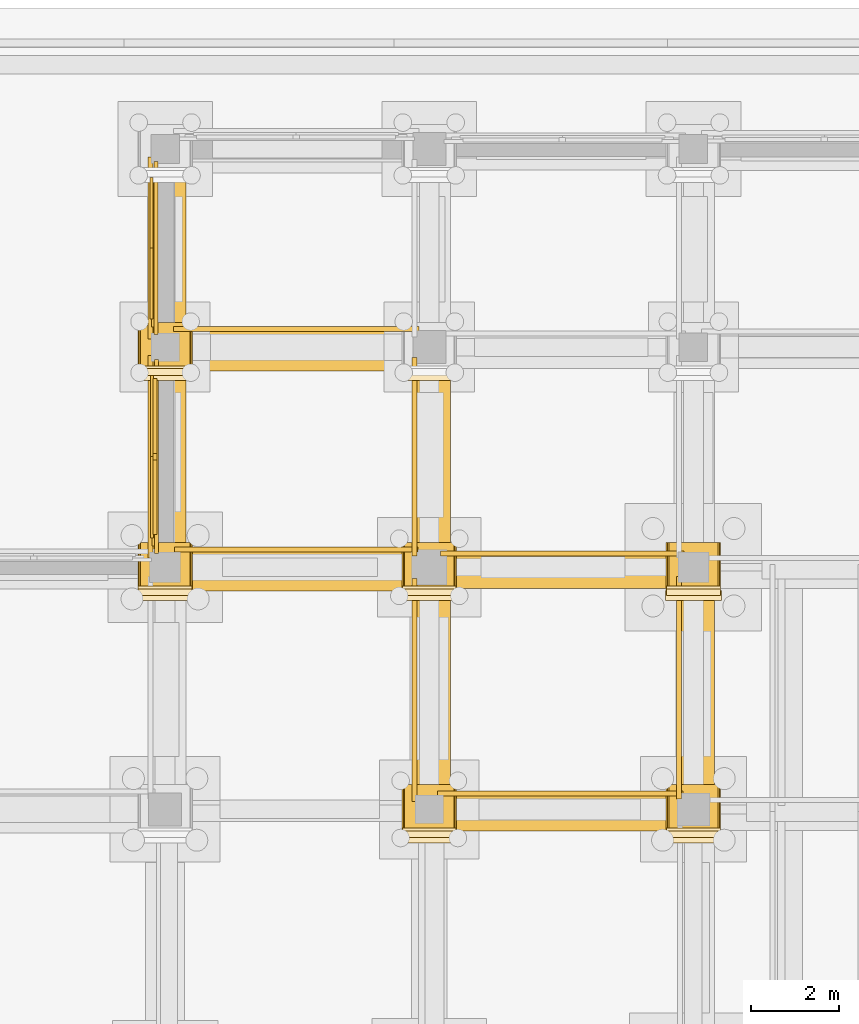
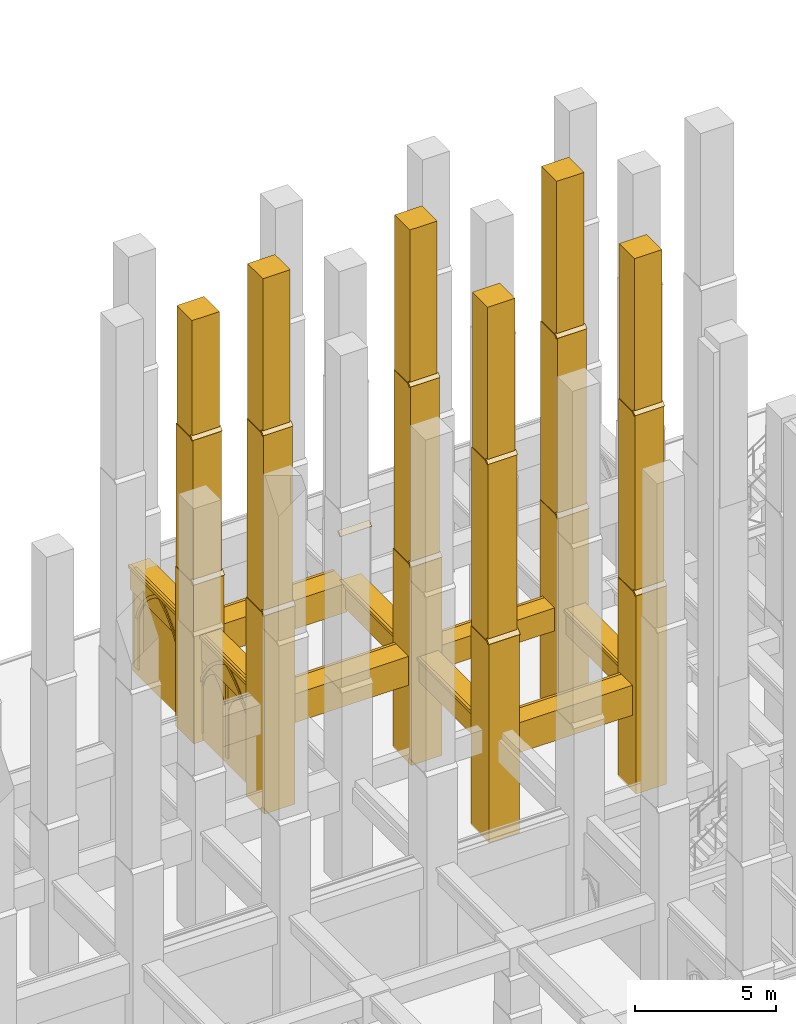
# One storey, part 96 of 135: 58 coverings.
"""IFC4 building model written with IfcOpenShell, lengths in metres."""

from ifc_helpers import new_model, si_unit, direction, frame, origin, origin_2d, place, context, subcontext, project, spatial, polyline, rectangle, outline, extrude, material, type_object, element, save


model = new_model("IFC4")

# Units and contexts
model_context = context("Model", 3, precision=1e-05, world=origin(), true_north=direction((0.0, 1.0)))
body_context = subcontext(model_context, "Body", "Model", "MODEL_VIEW")
ifc_project = project(units=[si_unit("LENGTHUNIT", "METRE"), si_unit("AREAUNIT", "SQUARE_METRE"), si_unit("VOLUMEUNIT", "CUBIC_METRE"), si_unit("PLANEANGLEUNIT", "RADIAN"), si_unit("MASSUNIT", "GRAM", prefix="KILO")], contexts=[model_context])

# Site, building, storey
site_placement = place(None, origin())
site = spatial("IfcSite", under=ifc_project, at=site_placement, CompositionType="ELEMENT")
building_placement = place(site_placement, origin())
building = spatial("IfcBuilding", under=site, at=building_placement, Name="Cumevento Cable Car Station", CompositionType="ELEMENT")
storey_placement = place(building_placement, origin())
storey = spatial("IfcBuildingStorey", under=building, at=storey_placement, Name="L01", CompositionType="ELEMENT", Elevation=0.0)

# Coverings
ifc_material = material(Name="Gnaisse Facoidal Stone Ashlar 85 MPa", Category="masonry")
covering_type = type_object("IfcCoveringType", Name="Gnaisse Ashlar Cladding CV-CL01", PredefinedType="CLADDING", material=ifc_material)
covering_1_placement = place(storey_placement, frame((52.0, 56.409912109375, -0.06005859375), z_axis=(0.0, 0.0, 1.0), x_axis=(1.0, 0.0, 0.0)))
element("IfcCovering", 1, at=covering_1_placement, inside=storey, type_object=covering_type, Name="Stepped Gothic Stone Buttress Tier 1 bt:52.0:56.5", PredefinedType="CLADDING", context=body_context, shape_type="SweptSolid", body=[
    extrude(rectangle(XDim=1.239990234375, YDim=1.300048828125, at=origin_2d()), origin(), (0.0, 0.0, 1.0), 8.595703125),
])
covering_2_placement = place(storey_placement, frame((51.360107421875, 55.739990234375, 8.515625), z_axis=(0.0, -0.711135781079, 0.703054692658), x_axis=(1.0, 0.0, 0.0)))
element("IfcCovering", 2, at=covering_2_placement, inside=storey, type_object=covering_type, Name="Gothic Buttress Sloped Stone Weathering 1 bt:52.0:56.5", PredefinedType="CLADDING", context=body_context, shape_type="SweptSolid", body=[
    extrude(outline(polyline([(0.0, 0.0), (1.27978515625, 0.0), (1.27978515625, 0.24169083397703695), (0.0, 0.24169083397703695), (0.0, 0.0)])), origin(), (0.0, 0.0, -1.0), 0.090087890625),
])
covering_3_placement = place(storey_placement, frame((52.0, 56.469970703125, 8.0830078125), z_axis=(0.0, 0.0, 1.0), x_axis=(1.0, 0.0, 0.0)))
element("IfcCovering", 3, at=covering_3_placement, inside=storey, type_object=covering_type, Name="Stepped Gothic Stone Buttress Tier 2 bt:52.0:56.5", PredefinedType="CLADDING", context=body_context, shape_type="SweptSolid", body=[
    extrude(rectangle(XDim=1.179931640625, YDim=1.179931640625, at=origin_2d()), origin(), (0.0, 0.0, 1.0), 8.143310546875),
])
covering_4_placement = place(storey_placement, frame((51.389892578125, 55.860107421875, 16.206298828125), z_axis=(0.0, -0.714474823669, 0.699661151089), x_axis=(1.0, 0.0, 0.0)))
element("IfcCovering", 4, at=covering_4_placement, inside=storey, type_object=covering_type, Name="Gothic Buttress Sloped Stone Weathering 2 bt:52.0:56.5", PredefinedType="CLADDING", context=body_context, shape_type="SweptSolid", body=[
    extrude(outline(polyline([(0.0, 0.0), (1.22021484375, 0.0), (1.22021484375, 0.21424991728737655), (0.0, 0.21424991728737655), (0.0, 0.0)])), origin(), (0.0, 0.0, -1.0), 0.090087890625),
])
covering_5_placement = place(storey_placement, frame((52.0, 56.52001953125, 15.77392578125), z_axis=(0.0, 0.0, 1.0), x_axis=(1.0, 0.0, 0.0)))
element("IfcCovering", 5, at=covering_5_placement, inside=storey, type_object=covering_type, Name="Stepped Gothic Stone Buttress Tier 3 bt:52.0:56.5", PredefinedType="CLADDING", context=body_context, shape_type="SweptSolid", body=[
    extrude(rectangle(XDim=1.1201171875, YDim=1.080078125, at=origin_2d()), origin(), (0.0, 0.0, 1.0), 7.1259765625),
])
covering_6_placement = place(storey_placement, frame((52.0, 61.409912109375, -0.06005859375), z_axis=(0.0, 0.0, 1.0), x_axis=(1.0, 0.0, 0.0)))
element("IfcCovering", 6, at=covering_6_placement, inside=storey, type_object=covering_type, Name="Stepped Gothic Stone Buttress Tier 1 bt:52.0:61.5", PredefinedType="CLADDING", context=body_context, shape_type="SweptSolid", body=[
    extrude(rectangle(XDim=1.239990234375, YDim=1.300048828125, at=origin_2d()), origin(), (0.0, 0.0, 1.0), 6.885498046875),
])
covering_7_placement = place(storey_placement, frame((51.360107421875, 60.739990234375, 6.8056640625), z_axis=(0.0, -0.711135781079, 0.703054692658), x_axis=(1.0, 0.0, 0.0)))
element("IfcCovering", 7, at=covering_7_placement, inside=storey, type_object=covering_type, Name="Gothic Buttress Sloped Stone Weathering 1 bt:52.0:61.5", PredefinedType="CLADDING", context=body_context, shape_type="SweptSolid", body=[
    extrude(outline(polyline([(0.0, 0.0), (1.27978515625, 0.0), (1.27978515625, 0.24169083397703695), (0.0, 0.24169083397703695), (0.0, 0.0)])), origin(), (0.0, 0.0, -1.0), 0.090087890625),
])
covering_8_placement = place(storey_placement, frame((52.0, 61.469970703125, 6.46337890625), z_axis=(0.0, 0.0, 1.0), x_axis=(1.0, 0.0, 0.0)))
element("IfcCovering", 8, at=covering_8_placement, inside=storey, type_object=covering_type, Name="Stepped Gothic Stone Buttress Tier 2 bt:52.0:61.5", PredefinedType="CLADDING", context=body_context, shape_type="SweptSolid", body=[
    extrude(rectangle(XDim=1.179931640625, YDim=1.179931640625, at=origin_2d()), origin(), (0.0, 0.0, 1.0), 6.523193359375),
])
covering_9_placement = place(storey_placement, frame((51.389892578125, 60.860107421875, 12.96630859375), z_axis=(0.0, -0.714474823669, 0.699661151089), x_axis=(1.0, 0.0, 0.0)))
element("IfcCovering", 9, at=covering_9_placement, inside=storey, type_object=covering_type, Name="Gothic Buttress Sloped Stone Weathering 2 bt:52.0:61.5", PredefinedType="CLADDING", context=body_context, shape_type="SweptSolid", body=[
    extrude(outline(polyline([(0.0, 0.0), (1.22021484375, 0.0), (1.22021484375, 0.21424991728737655), (0.0, 0.21424991728737655), (0.0, 0.0)])), origin(), (0.0, 0.0, -1.0), 0.090087890625),
])
covering_10_placement = place(storey_placement, frame((52.0, 61.52001953125, 12.6240234375), z_axis=(0.0, 0.0, 1.0), x_axis=(1.0, 0.0, 0.0)))
element("IfcCovering", 10, at=covering_10_placement, inside=storey, type_object=covering_type, Name="Stepped Gothic Stone Buttress Tier 3 bt:52.0:61.5", PredefinedType="CLADDING", context=body_context, shape_type="SweptSolid", body=[
    extrude(rectangle(XDim=1.1201171875, YDim=1.080078125, at=origin_2d()), origin(), (0.0, 0.0, 1.0), 5.43603515625),
])
covering_11_placement = place(storey_placement, frame((58.0, 50.909912109375, -0.06005859375), z_axis=(0.0, 0.0, 1.0), x_axis=(1.0, 0.0, 0.0)))
element("IfcCovering", 11, at=covering_11_placement, inside=storey, type_object=covering_type, Name="Stepped Gothic Stone Buttress Tier 1 bt:58.0:51.0", PredefinedType="CLADDING", context=body_context, shape_type="SweptSolid", body=[
    extrude(rectangle(XDim=1.239990234375, YDim=1.300048828125, at=origin_2d()), origin(), (0.0, 0.0, 1.0), 8.595703125),
])
covering_12_placement = place(storey_placement, frame((57.360107421875, 50.239990234375, 8.515625), z_axis=(0.0, -0.711135781079, 0.703054692658), x_axis=(1.0, 0.0, 0.0)))
element("IfcCovering", 12, at=covering_12_placement, inside=storey, type_object=covering_type, Name="Gothic Buttress Sloped Stone Weathering 1 bt:58.0:51.0", PredefinedType="CLADDING", context=body_context, shape_type="SweptSolid", body=[
    extrude(outline(polyline([(0.0, 0.0), (1.27978515625, 0.0), (1.27978515625, 0.24169083397703695), (0.0, 0.24169083397703695), (0.0, 0.0)])), origin(), (0.0, 0.0, -1.0), 0.090087890625),
])
covering_13_placement = place(storey_placement, frame((58.0, 50.969970703125, 8.0830078125), z_axis=(0.0, 0.0, 1.0), x_axis=(1.0, 0.0, 0.0)))
element("IfcCovering", 13, at=covering_13_placement, inside=storey, type_object=covering_type, Name="Stepped Gothic Stone Buttress Tier 2 bt:58.0:51.0", PredefinedType="CLADDING", context=body_context, shape_type="SweptSolid", body=[
    extrude(rectangle(XDim=1.179931640625, YDim=1.179931640625, at=origin_2d()), origin(), (0.0, 0.0, 1.0), 8.143310546875),
])
covering_14_placement = place(storey_placement, frame((57.389892578125, 50.360107421875, 16.206298828125), z_axis=(0.0, -0.714474823669, 0.699661151089), x_axis=(1.0, 0.0, 0.0)))
element("IfcCovering", 14, at=covering_14_placement, inside=storey, type_object=covering_type, Name="Gothic Buttress Sloped Stone Weathering 2 bt:58.0:51.0", PredefinedType="CLADDING", context=body_context, shape_type="SweptSolid", body=[
    extrude(outline(polyline([(0.0, 0.0), (1.22021484375, 0.0), (1.22021484375, 0.21424991728737655), (0.0, 0.21424991728737655), (0.0, 0.0)])), origin(), (0.0, 0.0, -1.0), 0.090087890625),
])
covering_15_placement = place(storey_placement, frame((58.0, 51.02001953125, 15.77392578125), z_axis=(0.0, 0.0, 1.0), x_axis=(1.0, 0.0, 0.0)))
element("IfcCovering", 15, at=covering_15_placement, inside=storey, type_object=covering_type, Name="Stepped Gothic Stone Buttress Tier 3 bt:58.0:51.0", PredefinedType="CLADDING", context=body_context, shape_type="SweptSolid", body=[
    extrude(rectangle(XDim=1.1201171875, YDim=1.080078125, at=origin_2d()), origin(), (0.0, 0.0, 1.0), 7.1259765625),
])
covering_16_placement = place(storey_placement, frame((58.0, 56.409912109375, -0.06005859375), z_axis=(0.0, 0.0, 1.0), x_axis=(1.0, 0.0, 0.0)))
element("IfcCovering", 16, at=covering_16_placement, inside=storey, type_object=covering_type, Name="Stepped Gothic Stone Buttress Tier 1 bt:58.0:56.5", PredefinedType="CLADDING", context=body_context, shape_type="SweptSolid", body=[
    extrude(rectangle(XDim=1.239990234375, YDim=1.300048828125, at=origin_2d()), origin(), (0.0, 0.0, 1.0), 8.595703125),
])
covering_17_placement = place(storey_placement, frame((57.360107421875, 55.739990234375, 8.515625), z_axis=(0.0, -0.711135781079, 0.703054692658), x_axis=(1.0, 0.0, 0.0)))
element("IfcCovering", 17, at=covering_17_placement, inside=storey, type_object=covering_type, Name="Gothic Buttress Sloped Stone Weathering 1 bt:58.0:56.5", PredefinedType="CLADDING", context=body_context, shape_type="SweptSolid", body=[
    extrude(outline(polyline([(0.0, 0.0), (1.27978515625, 0.0), (1.27978515625, 0.24169083397703695), (0.0, 0.24169083397703695), (0.0, 0.0)])), origin(), (0.0, 0.0, -1.0), 0.090087890625),
])
covering_18_placement = place(storey_placement, frame((58.0, 56.469970703125, 8.0830078125), z_axis=(0.0, 0.0, 1.0), x_axis=(1.0, 0.0, 0.0)))
element("IfcCovering", 18, at=covering_18_placement, inside=storey, type_object=covering_type, Name="Stepped Gothic Stone Buttress Tier 2 bt:58.0:56.5", PredefinedType="CLADDING", context=body_context, shape_type="SweptSolid", body=[
    extrude(rectangle(XDim=1.179931640625, YDim=1.179931640625, at=origin_2d()), origin(), (0.0, 0.0, 1.0), 8.143310546875),
])
covering_19_placement = place(storey_placement, frame((57.389892578125, 55.860107421875, 16.206298828125), z_axis=(0.0, -0.714474823669, 0.699661151089), x_axis=(1.0, 0.0, 0.0)))
element("IfcCovering", 19, at=covering_19_placement, inside=storey, type_object=covering_type, Name="Gothic Buttress Sloped Stone Weathering 2 bt:58.0:56.5", PredefinedType="CLADDING", context=body_context, shape_type="SweptSolid", body=[
    extrude(outline(polyline([(0.0, 0.0), (1.22021484375, 0.0), (1.22021484375, 0.21424991728737655), (0.0, 0.21424991728737655), (0.0, 0.0)])), origin(), (0.0, 0.0, -1.0), 0.090087890625),
])
covering_20_placement = place(storey_placement, frame((58.0, 56.52001953125, 15.77392578125), z_axis=(0.0, 0.0, 1.0), x_axis=(1.0, 0.0, 0.0)))
element("IfcCovering", 20, at=covering_20_placement, inside=storey, type_object=covering_type, Name="Stepped Gothic Stone Buttress Tier 3 bt:58.0:56.5", PredefinedType="CLADDING", context=body_context, shape_type="SweptSolid", body=[
    extrude(rectangle(XDim=1.1201171875, YDim=1.080078125, at=origin_2d()), origin(), (0.0, 0.0, 1.0), 7.1259765625),
])
covering_21_placement = place(storey_placement, frame((57.360107421875, 60.739990234375, 6.8056640625), z_axis=(0.0, -0.711135781079, 0.703054692658), x_axis=(1.0, 0.0, 0.0)))
element("IfcCovering", 21, at=covering_21_placement, inside=storey, type_object=covering_type, Name="Gothic Buttress Sloped Stone Weathering 1 bt:58.0:61.5", PredefinedType="CLADDING", context=body_context, shape_type="SweptSolid", body=[
    extrude(outline(polyline([(0.0, 0.0), (1.27978515625, 0.0), (1.27978515625, 0.24169083397703695), (0.0, 0.24169083397703695), (0.0, 0.0)])), origin(), (0.0, 0.0, -1.0), 0.090087890625),
])
covering_22_placement = place(storey_placement, frame((64.0, 50.909912109375, -0.06005859375), z_axis=(0.0, 0.0, 1.0), x_axis=(1.0, 0.0, 0.0)))
element("IfcCovering", 22, at=covering_22_placement, inside=storey, type_object=covering_type, Name="Stepped Gothic Stone Buttress Tier 1 bt:64.0:51.0", PredefinedType="CLADDING", context=body_context, shape_type="SweptSolid", body=[
    extrude(rectangle(XDim=1.239990234375, YDim=1.300048828125, at=origin_2d()), origin(), (0.0, 0.0, 1.0), 8.595703125),
])
covering_23_placement = place(storey_placement, frame((63.360107421875, 50.239990234375, 8.515625), z_axis=(0.0, -0.711135781079, 0.703054692658), x_axis=(1.0, 0.0, 0.0)))
element("IfcCovering", 23, at=covering_23_placement, inside=storey, type_object=covering_type, Name="Gothic Buttress Sloped Stone Weathering 1 bt:64.0:51.0", PredefinedType="CLADDING", context=body_context, shape_type="SweptSolid", body=[
    extrude(outline(polyline([(0.0, 0.0), (1.27978515625, 0.0), (1.27978515625, 0.24169083397703695), (0.0, 0.24169083397703695), (0.0, 0.0)])), origin(), (0.0, 0.0, -1.0), 0.090087890625),
])
covering_24_placement = place(storey_placement, frame((64.0, 50.969970703125, 8.0830078125), z_axis=(0.0, 0.0, 1.0), x_axis=(1.0, 0.0, 0.0)))
element("IfcCovering", 24, at=covering_24_placement, inside=storey, type_object=covering_type, Name="Stepped Gothic Stone Buttress Tier 2 bt:64.0:51.0", PredefinedType="CLADDING", context=body_context, shape_type="SweptSolid", body=[
    extrude(rectangle(XDim=1.179931640625, YDim=1.179931640625, at=origin_2d()), origin(), (0.0, 0.0, 1.0), 8.143310546875),
])
covering_25_placement = place(storey_placement, frame((63.389892578125, 50.360107421875, 16.206298828125), z_axis=(0.0, -0.714474823669, 0.699661151089), x_axis=(1.0, 0.0, 0.0)))
element("IfcCovering", 25, at=covering_25_placement, inside=storey, type_object=covering_type, Name="Gothic Buttress Sloped Stone Weathering 2 bt:64.0:51.0", PredefinedType="CLADDING", context=body_context, shape_type="SweptSolid", body=[
    extrude(outline(polyline([(0.0, 0.0), (1.22021484375, 0.0), (1.22021484375, 0.21424991728737655), (0.0, 0.21424991728737655), (0.0, 0.0)])), origin(), (0.0, 0.0, -1.0), 0.090087890625),
])
covering_26_placement = place(storey_placement, frame((64.0, 51.02001953125, 15.77392578125), z_axis=(0.0, 0.0, 1.0), x_axis=(1.0, 0.0, 0.0)))
element("IfcCovering", 26, at=covering_26_placement, inside=storey, type_object=covering_type, Name="Stepped Gothic Stone Buttress Tier 3 bt:64.0:51.0", PredefinedType="CLADDING", context=body_context, shape_type="SweptSolid", body=[
    extrude(rectangle(XDim=1.1201171875, YDim=1.080078125, at=origin_2d()), origin(), (0.0, 0.0, 1.0), 7.1259765625),
])
covering_27_placement = place(storey_placement, frame((64.0, 56.409912109375, -0.06005859375), z_axis=(0.0, 0.0, 1.0), x_axis=(1.0, 0.0, 0.0)))
element("IfcCovering", 27, at=covering_27_placement, inside=storey, type_object=covering_type, Name="Stepped Gothic Stone Buttress Tier 1 bt:64.0:56.5", PredefinedType="CLADDING", context=body_context, shape_type="SweptSolid", body=[
    extrude(rectangle(XDim=1.239990234375, YDim=1.300048828125, at=origin_2d()), origin(), (0.0, 0.0, 1.0), 8.595703125),
])
covering_28_placement = place(storey_placement, frame((63.360107421875, 55.739990234375, 8.515625), z_axis=(0.0, -0.711135781079, 0.703054692658), x_axis=(1.0, 0.0, 0.0)))
element("IfcCovering", 28, at=covering_28_placement, inside=storey, type_object=covering_type, Name="Gothic Buttress Sloped Stone Weathering 1 bt:64.0:56.5", PredefinedType="CLADDING", context=body_context, shape_type="SweptSolid", body=[
    extrude(outline(polyline([(0.0, 0.0), (1.27978515625, 0.0), (1.27978515625, 0.24169083397703695), (0.0, 0.24169083397703695), (0.0, 0.0)])), origin(), (0.0, 0.0, -1.0), 0.090087890625),
])
covering_29_placement = place(storey_placement, frame((64.0, 56.469970703125, 8.0830078125), z_axis=(0.0, 0.0, 1.0), x_axis=(1.0, 0.0, 0.0)))
element("IfcCovering", 29, at=covering_29_placement, inside=storey, type_object=covering_type, Name="Stepped Gothic Stone Buttress Tier 2 bt:64.0:56.5", PredefinedType="CLADDING", context=body_context, shape_type="SweptSolid", body=[
    extrude(rectangle(XDim=1.179931640625, YDim=1.179931640625, at=origin_2d()), origin(), (0.0, 0.0, 1.0), 8.143310546875),
])
covering_30_placement = place(storey_placement, frame((63.389892578125, 55.860107421875, 16.206298828125), z_axis=(0.0, -0.714474823669, 0.699661151089), x_axis=(1.0, 0.0, 0.0)))
element("IfcCovering", 30, at=covering_30_placement, inside=storey, type_object=covering_type, Name="Gothic Buttress Sloped Stone Weathering 2 bt:64.0:56.5", PredefinedType="CLADDING", context=body_context, shape_type="SweptSolid", body=[
    extrude(outline(polyline([(0.0, 0.0), (1.22021484375, 0.0), (1.22021484375, 0.21424991728737655), (0.0, 0.21424991728737655), (0.0, 0.0)])), origin(), (0.0, 0.0, -1.0), 0.090087890625),
])
covering_31_placement = place(storey_placement, frame((64.0, 56.52001953125, 15.77392578125), z_axis=(0.0, 0.0, 1.0), x_axis=(1.0, 0.0, 0.0)))
element("IfcCovering", 31, at=covering_31_placement, inside=storey, type_object=covering_type, Name="Stepped Gothic Stone Buttress Tier 3 bt:64.0:56.5", PredefinedType="CLADDING", context=body_context, shape_type="SweptSolid", body=[
    extrude(rectangle(XDim=1.1201171875, YDim=1.080078125, at=origin_2d()), origin(), (0.0, 0.0, 1.0), 7.1259765625),
])
covering_32_placement = place(storey_placement, frame((60.97509765625, 50.919921875, 3.199951171875), z_axis=(0.0, 0.0, 1.0), x_axis=(1.0, 0.0, 0.0)))
element("IfcCovering", 32, at=covering_32_placement, inside=storey, type_object=covering_type, Name="Gothic Stone Spandrel Stringcourse sc:0111", PredefinedType="CLADDING", context=body_context, shape_type="SweptSolid", body=[
    extrude(rectangle(XDim=5.5400390625, YDim=0.820068359375, at=origin_2d()), origin(), (0.0, 0.0, 1.0), 1.2900390625),
])
covering_33_placement = place(storey_placement, frame((60.97509765625, 51.357421875, 4.360107421875), z_axis=(0.0, 0.0, 1.0), x_axis=(1.0, 0.0, 0.0)))
element("IfcCovering", 33, at=covering_33_placement, inside=storey, type_object=covering_type, Name="Gothic Cornice Dripstone Lip sc:0111", PredefinedType="CLADDING", context=body_context, shape_type="SweptSolid", body=[
    extrude(rectangle(XDim=5.580078125, YDim=0.114990234375, at=origin_2d()), origin(), (0.0, 0.0, 1.0), 0.1298828125),
])
covering_34_placement = place(storey_placement, frame((54.97509765625, 56.419921875, 3.2900390625), z_axis=(0.0, 0.0, 1.0), x_axis=(1.0, 0.0, 0.0)))
element("IfcCovering", 34, at=covering_34_placement, inside=storey, type_object=covering_type, Name="Gothic Stone Spandrel Stringcourse sc:0112", PredefinedType="CLADDING", context=body_context, shape_type="SweptSolid", body=[
    extrude(rectangle(XDim=5.489990234375, YDim=0.919921875, at=origin_2d()), origin(), (0.0, 0.0, 1.0), 1.239990234375),
])
covering_35_placement = place(storey_placement, frame((54.97509765625, 56.907470703125, 4.400146484375), z_axis=(0.0, 0.0, 1.0), x_axis=(1.0, 0.0, 0.0)))
element("IfcCovering", 35, at=covering_35_placement, inside=storey, type_object=covering_type, Name="Gothic Cornice Dripstone Lip sc:0112", PredefinedType="CLADDING", context=body_context, shape_type="SweptSolid", body=[
    extrude(rectangle(XDim=5.530029296875, YDim=0.114990234375, at=origin_2d()), origin(), (0.0, 0.0, 1.0), 0.1298828125),
])
covering_36_placement = place(storey_placement, frame((61.02490234375, 56.39990234375, 3.5), z_axis=(0.0, 0.0, 1.0), x_axis=(1.0, 0.0, 0.0)))
element("IfcCovering", 36, at=covering_36_placement, inside=storey, type_object=covering_type, Name="Gothic Stone Spandrel Stringcourse sc:0113", PredefinedType="CLADDING", context=body_context, shape_type="SweptSolid", body=[
    extrude(rectangle(XDim=5.489990234375, YDim=0.760009765625, at=origin_2d()), origin(), (0.0, 0.0, 1.0), 0.989990234375),
])
covering_37_placement = place(storey_placement, frame((61.02490234375, 56.8076171875, 4.360107421875), z_axis=(0.0, 0.0, 1.0), x_axis=(1.0, 0.0, 0.0)))
element("IfcCovering", 37, at=covering_37_placement, inside=storey, type_object=covering_type, Name="Gothic Cornice Dripstone Lip sc:0113", PredefinedType="CLADDING", context=body_context, shape_type="SweptSolid", body=[
    extrude(rectangle(XDim=5.530029296875, YDim=0.114990234375, at=origin_2d()), origin(), (0.0, 0.0, 1.0), 0.1298828125),
])
covering_38_placement = place(storey_placement, frame((58.08740234375, 53.71240234375, 3.43994140625), z_axis=(0.0, 0.0, 1.0), x_axis=(0.0, 1.0, 0.0)))
element("IfcCovering", 38, at=covering_38_placement, inside=storey, type_object=covering_type, Name="Gothic Stone Spandrel Stringcourse sc:0115", PredefinedType="CLADDING", context=body_context, shape_type="SweptSolid", body=[
    extrude(rectangle(XDim=5.014892578125, YDim=0.784912109375, at=origin_2d()), origin(), (0.0, 0.0, 1.0), 1.090087890625),
])
covering_39_placement = place(storey_placement, frame((57.66748046875, 53.71240234375, 4.400146484375), z_axis=(0.0, 0.0, 1.0), x_axis=(0.0, 1.0, 0.0)))
element("IfcCovering", 39, at=covering_39_placement, inside=storey, type_object=covering_type, Name="Gothic Cornice Dripstone Lip sc:0115", PredefinedType="CLADDING", context=body_context, shape_type="SweptSolid", body=[
    extrude(rectangle(XDim=5.054931640625, YDim=0.114990234375, at=origin_2d()), origin(), (0.0, 0.0, 1.0), 0.1298828125),
])
covering_40_placement = place(storey_placement, frame((64.08740234375, 53.762451171875, 3.39990234375), z_axis=(0.0, 0.0, 1.0), x_axis=(0.0, 1.0, 0.0)))
element("IfcCovering", 40, at=covering_40_placement, inside=storey, type_object=covering_type, Name="Gothic Stone Spandrel Stringcourse sc:0117", PredefinedType="CLADDING", context=body_context, shape_type="SweptSolid", body=[
    extrude(rectangle(XDim=5.014892578125, YDim=0.784912109375, at=origin_2d()), origin(), (0.0, 0.0, 1.0), 1.090087890625),
])
covering_41_placement = place(storey_placement, frame((63.66748046875, 53.762451171875, 4.360107421875), z_axis=(0.0, 0.0, 1.0), x_axis=(0.0, 1.0, 0.0)))
element("IfcCovering", 41, at=covering_41_placement, inside=storey, type_object=covering_type, Name="Gothic Cornice Dripstone Lip sc:0117", PredefinedType="CLADDING", context=body_context, shape_type="SweptSolid", body=[
    extrude(rectangle(XDim=5.054931640625, YDim=0.114990234375, at=origin_2d()), origin(), (0.0, 0.0, 1.0), 0.1298828125),
])
covering_42_placement = place(storey_placement, frame((54.97509765625, 61.419921875, 3.2900390625), z_axis=(0.0, 0.0, 1.0), x_axis=(1.0, 0.0, 0.0)))
element("IfcCovering", 42, at=covering_42_placement, inside=storey, type_object=covering_type, Name="Gothic Stone Spandrel Stringcourse sc:0160", PredefinedType="CLADDING", context=body_context, shape_type="SweptSolid", body=[
    extrude(rectangle(XDim=5.5400390625, YDim=0.919921875, at=origin_2d()), origin(), (0.0, 0.0, 1.0), 1.239990234375),
])
covering_43_placement = place(storey_placement, frame((54.97509765625, 61.907470703125, 4.400146484375), z_axis=(0.0, 0.0, 1.0), x_axis=(1.0, 0.0, 0.0)))
element("IfcCovering", 43, at=covering_43_placement, inside=storey, type_object=covering_type, Name="Gothic Cornice Dripstone Lip sc:0160", PredefinedType="CLADDING", context=body_context, shape_type="SweptSolid", body=[
    extrude(rectangle(XDim=5.580078125, YDim=0.114990234375, at=origin_2d()), origin(), (0.0, 0.0, 1.0), 0.1298828125),
])
covering_44_placement = place(storey_placement, frame((52.08740234375, 59.012451171875, 3.43994140625), z_axis=(0.0, 0.0, 1.0), x_axis=(0.0, 1.0, 0.0)))
element("IfcCovering", 44, at=covering_44_placement, inside=storey, type_object=covering_type, Name="Gothic Stone Spandrel Stringcourse sc:0166", PredefinedType="CLADDING", context=body_context, shape_type="SweptSolid", body=[
    extrude(rectangle(XDim=4.56494140625, YDim=0.784912109375, at=origin_2d()), origin(), (0.0, 0.0, 1.0), 1.090087890625),
])
covering_45_placement = place(storey_placement, frame((51.66748046875, 59.012451171875, 4.400146484375), z_axis=(0.0, 0.0, 1.0), x_axis=(0.0, 1.0, 0.0)))
element("IfcCovering", 45, at=covering_45_placement, inside=storey, type_object=covering_type, Name="Gothic Cornice Dripstone Lip sc:0166", PredefinedType="CLADDING", context=body_context, shape_type="SweptSolid", body=[
    extrude(rectangle(XDim=4.60498046875, YDim=0.114990234375, at=origin_2d()), origin(), (0.0, 0.0, 1.0), 0.1298828125),
])
covering_46_placement = place(storey_placement, frame((52.08740234375, 63.75, 3.43994140625), z_axis=(0.0, 0.0, 1.0), x_axis=(0.0, 1.0, 0.0)))
element("IfcCovering", 46, at=covering_46_placement, inside=storey, type_object=covering_type, Name="Gothic Stone Spandrel Stringcourse sc:0167", PredefinedType="CLADDING", context=body_context, shape_type="SweptSolid", body=[
    extrude(rectangle(XDim=4.090087890625, YDim=0.784912109375, at=origin_2d()), origin(), (0.0, 0.0, 1.0), 1.090087890625),
])
covering_47_placement = place(storey_placement, frame((51.66748046875, 63.75, 4.400146484375), z_axis=(0.0, 0.0, 1.0), x_axis=(0.0, 1.0, 0.0)))
element("IfcCovering", 47, at=covering_47_placement, inside=storey, type_object=covering_type, Name="Gothic Cornice Dripstone Lip sc:0167", PredefinedType="CLADDING", context=body_context, shape_type="SweptSolid", body=[
    extrude(rectangle(XDim=4.1298828125, YDim=0.114990234375, at=origin_2d()), origin(), (0.0, 0.0, 1.0), 0.1298828125),
])
covering_48_placement = place(storey_placement, frame((58.08740234375, 59.012451171875, 3.43994140625), z_axis=(0.0, 0.0, 1.0), x_axis=(0.0, 1.0, 0.0)))
element("IfcCovering", 48, at=covering_48_placement, inside=storey, type_object=covering_type, Name="Gothic Stone Spandrel Stringcourse sc:0168", PredefinedType="CLADDING", context=body_context, shape_type="SweptSolid", body=[
    extrude(rectangle(XDim=4.465087890625, YDim=0.784912109375, at=origin_2d()), origin(), (0.0, 0.0, 1.0), 1.090087890625),
])
covering_49_placement = place(storey_placement, frame((57.66748046875, 59.012451171875, 4.400146484375), z_axis=(0.0, 0.0, 1.0), x_axis=(0.0, 1.0, 0.0)))
element("IfcCovering", 49, at=covering_49_placement, inside=storey, type_object=covering_type, Name="Gothic Cornice Dripstone Lip sc:0168", PredefinedType="CLADDING", context=body_context, shape_type="SweptSolid", body=[
    extrude(rectangle(XDim=4.5048828125, YDim=0.114990234375, at=origin_2d()), origin(), (0.0, 0.0, 1.0), 0.1298828125),
])
covering_50_placement = place(storey_placement, frame((52.0, 56.85009765625, 0.0), z_axis=(0.0, 0.0, 1.0), x_axis=(0.0, 1.0, 0.0)))
element("IfcCovering", 50, at=covering_50_placement, inside=storey, type_object=covering_type, Name="Exterior Gnaisse Stone Wall Ashlar #62", PredefinedType="CLADDING", context=body_context, shape_type="SweptSolid", body=[
    extrude(outline(polyline([(-0.0400390625, -0.02001953125), (4.364990234375, -0.02001953125), (4.364990234375, 4.52001953125), (-0.0400390625, 4.52001953125), (-0.0400390625, -0.02001953125)])), frame((0.0, 0.237548828125, 0.0), z_axis=(0.0, -1.0, 0.0), x_axis=(1.0, 0.0, 0.0)), (0.0, 0.0, 1.0), 0.0849609375),
])
placement = place(storey_placement, frame((52.0, 57.030029296875, 0.300048828125), z_axis=(0.0, 0.0, 1.0), x_axis=(0.0, 1.0, 0.0)))
element("IfcCovering", 51, at=placement, inside=storey, type_object=covering_type, Name="Gothic Ogival Pointed-Arch Stone Spandrel blind_ogival:0062", PredefinedType="CLADDING", context=body_context, shape_type="SweptSolid", body=[
    extrude(outline(polyline([(-0.050048828125, 0.0), (-0.050048828125, 4.239990234375), (4.014892578125, 4.239990234375), (4.014892578125, 0.0), (3.705078125, 0.0), (3.705078125, 2.219970703125), (3.54833984375, 2.548583984375), (3.357666015625, 2.858642578125), (3.13525390625, 3.14697265625), (2.883544921875, 3.409912109375), (2.60546875, 3.644775390625), (2.303955078125, 3.848876953125), (1.982421875, 4.02001953125), (1.6611328125, 3.848876953125), (1.359619140625, 3.644775390625), (1.08154296875, 3.409912109375), (0.829833984375, 3.14697265625), (0.607421875, 2.858642578125), (0.416748046875, 2.548583984375), (0.260009765625, 2.219970703125), (0.260009765625, 0.0), (-0.050048828125, 0.0)])), frame((0.0, 0.29248046875, 0.0), z_axis=(0.0, -1.0, 0.0), x_axis=(1.0, 0.0, 0.0)), (0.0, 0.0, 1.0), 0.110107421875),
])
covering_52_placement = place(storey_placement, frame((52.0, 57.030029296875, 2.52001953125), z_axis=(0.0, 0.0, 1.0), x_axis=(0.0, 1.0, 0.0)))
element("IfcCovering", 52, at=covering_52_placement, inside=storey, type_object=covering_type, Name="Gothic Pointed Archivolt Hood Moulding blind_ogival:0062", PredefinedType="CLADDING", context=body_context, shape_type="SweptSolid", body=[
    extrude(outline(polyline([(0.260009765625, 0.0), (0.416748046875, 0.32861328125), (0.607421875, 0.638671875), (0.829833984375, 0.927001953125), (1.08154296875, 1.18994140625), (1.359619140625, 1.4248046875), (1.6611328125, 1.62890625), (1.982421875, 1.800048828125), (2.303955078125, 1.62890625), (2.60546875, 1.4248046875), (2.883544921875, 1.18994140625), (3.13525390625, 0.927001953125), (3.357666015625, 0.638671875), (3.54833984375, 0.32861328125), (3.705078125, 0.0), (3.825927734375, 0.0), (3.660400390625, 0.355712890625), (3.45751953125, 0.691650390625), (3.219970703125, 1.00390625), (2.950439453125, 1.289306640625), (2.652099609375, 1.5439453125), (2.328369140625, 1.765625), (1.982421875, 1.951171875), (1.63671875, 1.765625), (1.31298828125, 1.5439453125), (1.0146484375, 1.289306640625), (0.7451171875, 1.00390625), (0.507568359375, 0.691650390625), (0.3046875, 0.355712890625), (0.138916015625, 0.0), (0.260009765625, 0.0)])), frame((0.0, 0.33447265625, 0.0), z_axis=(0.0, -1.0, 0.0), x_axis=(1.0, 0.0, 0.0)), (0.0, 0.0, 1.0), 0.06689453125),
])
element("IfcCovering", 53, at=placement, inside=storey, type_object=covering_type, Name="Gothic Bifora Stone Colonnette blind_ogival:0062 #1", PredefinedType="CLADDING", context=body_context, shape_type="SweptSolid", body=[
    extrude(outline(polyline([(1.907470703125, -0.02001953125), (2.0576171875, -0.02001953125), (2.0576171875, 3.156005859375), (1.907470703125, 3.156005859375), (1.907470703125, -0.02001953125)])), frame((0.0, 0.280517578125, 0.0), z_axis=(0.0, -1.0, 0.0), x_axis=(1.0, 0.0, 0.0)), (0.0, 0.0, 1.0), 0.094970703125),
])
for number, where, z_axis, x_axis, name in (
    (54, (52.0, 57.260009765625, 2.340087890625), (0.0, 0.0, 1.0), (0.0, 1.0, 0.0), "Gothic Ogival Pointed-Arch Stone Spandrel blind_ogival:0062:sub:0"),
    (55, (52.0, 59.0576171875, 2.340087890625), (0.0, 0.0, 1.0), (0.0, 1.0, 0.0), "Gothic Ogival Pointed-Arch Stone Spandrel blind_ogival:0062:sub:1"),
):
    element("IfcCovering", number, at=place(storey_placement, frame(where, z_axis=z_axis, x_axis=x_axis)), inside=storey, type_object=covering_type, Name=name, PredefinedType="CLADDING", context=body_context, shape_type="SweptSolid", body=[
        extrude(outline(polyline([(-0.02001953125, 0.0), (-0.02001953125, 1.115966796875), (1.7275390625, 1.115966796875), (1.7275390625, 0.0), (1.66748046875, 0.0), (1.593017578125, 0.207275390625), (1.490966796875, 0.40234375), (1.363525390625, 0.58203125), (1.212890625, 0.74267578125), (1.0419921875, 0.881591796875), (0.853759765625, 0.99609375), (0.66552734375, 0.881591796875), (0.49462890625, 0.74267578125), (0.343994140625, 0.58203125), (0.216552734375, 0.40234375), (0.114501953125, 0.207275390625), (0.0400390625, 0.0), (-0.02001953125, 0.0)])), frame((0.0, 0.276611328125, 0.0), z_axis=(0.0, -1.0, 0.0), x_axis=(1.0, 0.0, 0.0)), (0.0, 0.0, 1.0), 0.090087890625),
    ])
covering_54_placement = place(storey_placement, frame((52.0, 61.824951171875, 0.0), z_axis=(0.0, 0.0, 1.0), x_axis=(0.0, 1.0, 0.0)))
element("IfcCovering", 56, at=covering_54_placement, inside=storey, type_object=covering_type, Name="Exterior Gnaisse Stone Wall Ashlar #63", PredefinedType="CLADDING", context=body_context, shape_type="SweptSolid", body=[
    extrude(outline(polyline([(-0.0400390625, -0.02001953125), (3.889892578125, -0.02001953125), (3.889892578125, 4.52001953125), (-0.0400390625, 4.52001953125), (-0.0400390625, -0.02001953125)])), frame((0.0, 0.25, 0.0), z_axis=(0.0, -1.0, 0.0), x_axis=(1.0, 0.0, 0.0)), (0.0, 0.0, 1.0), 0.0849609375),
])
covering_55_placement = place(storey_placement, frame((52.0, 62.0048828125, 0.300048828125), z_axis=(0.0, 0.0, 1.0), x_axis=(0.0, 1.0, 0.0)))
element("IfcCovering", 57, at=covering_55_placement, inside=storey, type_object=covering_type, Name="Gothic Ogival Pointed-Arch Stone Spandrel blind_ogival:0063", PredefinedType="CLADDING", context=body_context, shape_type="SweptSolid", body=[
    extrude(outline(polyline([(-0.050048828125, 0.0), (-0.050048828125, 4.239990234375), (3.5400390625, 4.239990234375), (3.5400390625, 0.0), (3.22998046875, 0.0), (3.22998046875, 2.219970703125), (3.114990234375, 2.54248046875), (2.963623046875, 2.849609375), (2.777587890625, 3.13720703125), (2.5595703125, 3.4013671875), (2.3125, 3.638671875), (2.039794921875, 3.845703125), (1.7451171875, 4.02001953125), (1.4501953125, 3.845703125), (1.177490234375, 3.638671875), (0.930419921875, 3.4013671875), (0.71240234375, 3.13720703125), (0.5263671875, 2.849609375), (0.375, 2.54248046875), (0.260009765625, 2.219970703125), (0.260009765625, 0.0), (-0.050048828125, 0.0)])), frame((0.0, 0.304931640625, 0.0), z_axis=(0.0, -1.0, 0.0), x_axis=(1.0, 0.0, 0.0)), (0.0, 0.0, 1.0), 0.110107421875),
])
covering_56_placement = place(storey_placement, frame((52.0, 62.0048828125, 2.52001953125), z_axis=(0.0, 0.0, 1.0), x_axis=(0.0, 1.0, 0.0)))
element("IfcCovering", 58, at=covering_56_placement, inside=storey, type_object=covering_type, Name="Gothic Pointed Archivolt Hood Moulding blind_ogival:0063", PredefinedType="CLADDING", context=body_context, shape_type="SweptSolid", body=[
    extrude(outline(polyline([(0.260009765625, 0.0), (0.375, 0.322509765625), (0.5263671875, 0.629638671875), (0.71240234375, 0.917236328125), (0.930419921875, 1.181396484375), (1.177490234375, 1.418701171875), (1.4501953125, 1.625732421875), (1.7451171875, 1.800048828125), (2.039794921875, 1.625732421875), (2.3125, 1.418701171875), (2.5595703125, 1.181396484375), (2.777587890625, 0.917236328125), (2.963623046875, 0.629638671875), (3.114990234375, 0.322509765625), (3.22998046875, 0.0), (3.35107421875, 0.0), (3.22705078125, 0.349609375), (3.0634765625, 0.682373046875), (2.8623046875, 0.994140625), (2.626708984375, 1.280517578125), (2.359375, 1.537841796875), (2.064208984375, 1.762451171875), (1.7451171875, 1.951171875), (1.42578125, 1.762451171875), (1.130615234375, 1.537841796875), (0.86328125, 1.280517578125), (0.627685546875, 0.994140625), (0.426513671875, 0.682373046875), (0.262939453125, 0.349609375), (0.138916015625, 0.0), (0.260009765625, 0.0)])), frame((0.0, 0.346923828125, 0.0), z_axis=(0.0, -1.0, 0.0), x_axis=(1.0, 0.0, 0.0)), (0.0, 0.0, 1.0), 0.06689453125),
])

save(model, "model.ifc")
